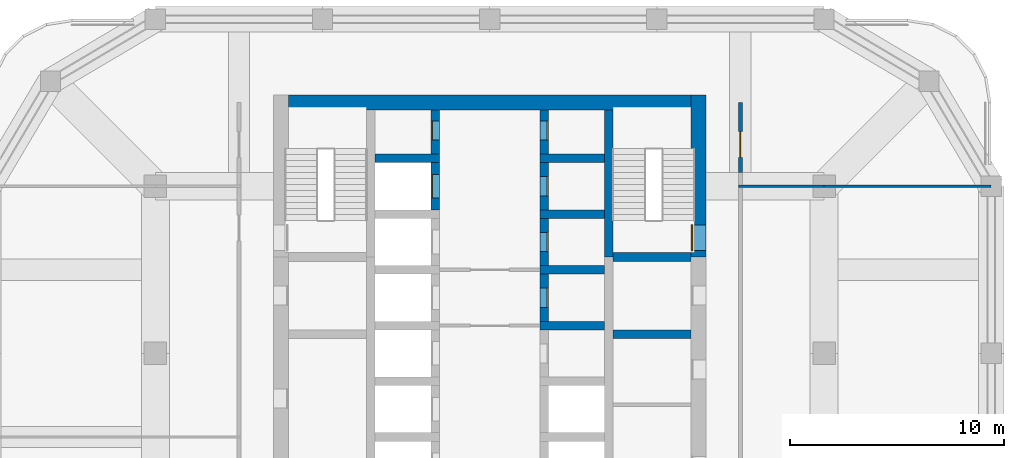
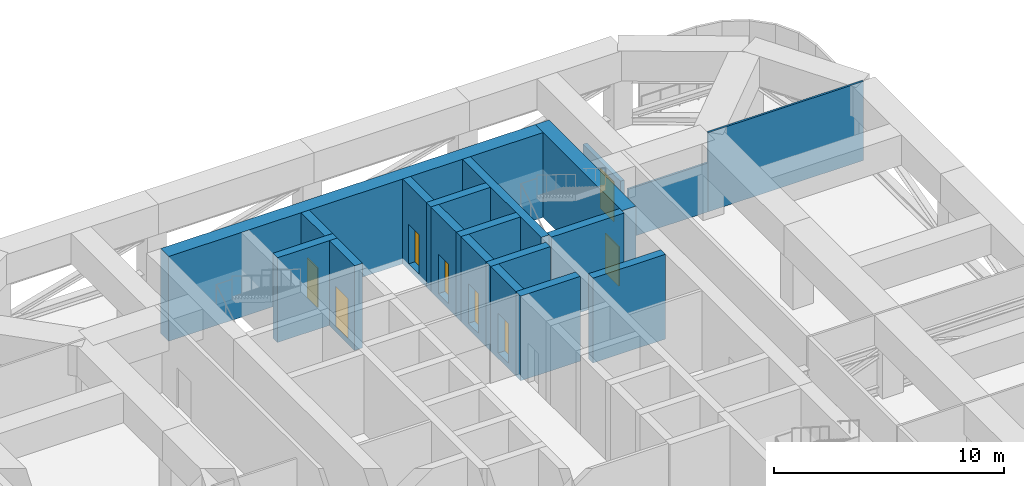
# One storey, part 5 of 9: 19 walls, 8 doors, 8 openings.
"""IFC4 building model written with IfcOpenShell, lengths in metres."""

from ifc_helpers import new_model, si_unit, direction, frame, frame_2d, origin, place, context, subcontext, project, spatial, rectangle, extrude, material, layer, layer_set, type_object, element, fill, save


model = new_model("IFC4")

# Units and contexts
model_context = context("Model", 3, precision=1e-05, world=origin(), true_north=direction((0.0, 1.0)))
body_context = subcontext(model_context, "Body", "Model", "MODEL_VIEW")
ifc_project = project(units=[si_unit("LENGTHUNIT", "METRE"), si_unit("AREAUNIT", "SQUARE_METRE"), si_unit("VOLUMEUNIT", "CUBIC_METRE"), si_unit("PLANEANGLEUNIT", "RADIAN"), si_unit("MASSUNIT", "GRAM", prefix="KILO")], contexts=[model_context])

# Site, building, storey
site_placement = place(None, origin())
site = spatial("IfcSite", under=ifc_project, at=site_placement, CompositionType="ELEMENT")
building_placement = place(site_placement, origin())
building = spatial("IfcBuilding", under=site, at=building_placement, Name="Ludao Terraces", CompositionType="ELEMENT")
storey_placement = place(building_placement, frame((0.0, 0.0, 95.39990234375)))
storey = spatial("IfcBuildingStorey", under=building, at=storey_placement, Name="L26", CompositionType="ELEMENT", Elevation=95.39990234375)

# Wall, opening, door
ifc_material_1 = material(Name="Concrete C70", Category="concrete")
ifc_layer_1 = layer(ifc_material_1, 0.699951171875)
ifc_layer_set_1 = layer_set([ifc_layer_1], Name="Core wall 700 C70")
wall_type_1 = type_object("IfcWallType", Name="Core wall 700 C70", PredefinedType="SOLIDWALL", material=ifc_layer_set_1)
wall_1_placement = place(storey_placement, frame((94.75, 77.300048828125, -0.2998046875), z_axis=(0.0, 0.0, 1.0), x_axis=(0.0, 1.0, 0.0)))
wall_1 = element("IfcWall", 1, at=wall_1_placement, inside=storey, type_object=wall_type_1, Name="Core wall L26 outer-E-S2", PredefinedType="SOLIDWALL", context=body_context, shape_type="SweptSolid", body=[
    extrude(rectangle(XDim=7.550048828125, YDim=0.699951171875, at=frame_2d((3.77490234375, 0.0))), origin(), (0.0, 0.0, 1.0), 4.5),
])
opening_1_placement = place(wall_1_placement, frame((0.300048828125, 0.0, 0.300048828125)))
opening_1 = element("IfcOpeningElement", 2, at=opening_1_placement, cuts=wall_1, Name="Opening L26-034", PredefinedType="OPENING", context=body_context, shape_type="SweptSolid", body=[
    extrude(rectangle(XDim=1.199951171875, YDim=2.10009765625, at=frame_2d((0.60009765625, 1.050048828125))), frame((0.0, 0.35986328125, 0.0), z_axis=(0.0, -1.0, 0.0), x_axis=(1.0, 0.0, 0.0)), (0.0, 0.0, 1.0), 0.719970703125),
])
ifc_material_2 = material(Name="Steel Q235", Category="steel")
door_type_1 = type_object("IfcDoorType", Name="INT Stair door 1200", OperationType="DOUBLE_DOOR_SINGLE_SWING", PredefinedType="DOOR", material=ifc_material_2)
door_1_placement = place(opening_1_placement, origin())
door_1 = element("IfcDoor", 3, at=door_1_placement, inside=storey, type_object=door_type_1, Name="DOOR 034", OperationType="DOUBLE_DOOR_SINGLE_SWING", OverallHeight=2.10009765625, OverallWidth=1.199951171875, PredefinedType="DOOR", context=body_context, shape_type="SweptSolid", body=[
    extrude(rectangle(XDim=1.199951171875, YDim=2.10009765625, at=frame_2d((0.60009765625, 1.050048828125))), frame((0.0, 0.3349609375, 0.0), z_axis=(0.0, -1.0, 0.0), x_axis=(1.0, 0.0, 0.0)), (0.0, 0.0, 1.0), 0.050048828125),
])
fill(opening_1, door_1)

# Wall
wall_2_placement = place(storey_placement, frame((75.60009765625, 84.5, -0.2998046875), z_axis=(0.0, 0.0, 1.0), x_axis=(1.0, 0.0, 0.0)))
element("IfcWall", 4, at=wall_2_placement, inside=storey, type_object=wall_type_1, Name="Core wall L26 outer-N", PredefinedType="SOLIDWALL", context=body_context, shape_type="SweptSolid", body=[
    extrude(rectangle(XDim=18.7998046875, YDim=0.699951171875, at=frame_2d((9.39990234375, 0.0))), origin(), (0.0, 0.0, 1.0), 4.5),
])

# Wall, opening, door
ifc_material_3 = material(Name="Autoclaved aerated concrete block B06 A3.5", Category="concrete")
ifc_layer_2 = layer(ifc_material_3, 0.199951171875)
ifc_layer_set_2 = layer_set([ifc_layer_2], Name="INT Entrance wall 200")
wall_type_2 = type_object("IfcWallType", Name="INT Entrance wall 200", PredefinedType="PARTITIONING", material=ifc_layer_set_2)
wall_3_placement = place(storey_placement, frame((96.699951171875, 81.25, 0.0), z_axis=(0.0, 0.0, 1.0), x_axis=(0.0, 1.0, 0.0)))
wall_3 = element("IfcWall", 5, at=wall_3_placement, inside=storey, type_object=wall_type_2, Name="PW-L26-PW017-2", PredefinedType="PARTITIONING", context=body_context, shape_type="SweptSolid", body=[
    extrude(rectangle(XDim=3.25, YDim=0.199951171875, at=frame_2d((1.625, 0.0))), origin(), (0.0, 0.0, 1.0), 2.60009765625),
])
opening_2_placement = place(wall_3_placement, frame((0.7001953125, 0.0, 0.0)))
opening_2 = element("IfcOpeningElement", 6, at=opening_2_placement, cuts=wall_3, Name="Opening L26-039", PredefinedType="OPENING", context=body_context, shape_type="SweptSolid", body=[
    extrude(rectangle(XDim=1.199951171875, YDim=2.10009765625, at=frame_2d((0.60009765625, 1.050048828125))), frame((0.0, 0.10986328125, 0.0), z_axis=(0.0, -1.0, 0.0), x_axis=(1.0, 0.0, 0.0)), (0.0, 0.0, 1.0), 0.219970703125),
])
ifc_material_4 = material(Name="Timber door leaf", Category="wood")
door_type_2 = type_object("IfcDoorType", Name="INT Double door 1200", OperationType="DOUBLE_DOOR_SINGLE_SWING", PredefinedType="DOOR", material=ifc_material_4)
door_2_placement = place(opening_2_placement, origin())
door_2 = element("IfcDoor", 7, at=door_2_placement, inside=storey, type_object=door_type_2, Name="DOOR 039", OperationType="DOUBLE_DOOR_SINGLE_SWING", OverallHeight=2.10009765625, OverallWidth=1.199951171875, PredefinedType="DOOR", context=body_context, shape_type="SweptSolid", body=[
    extrude(rectangle(XDim=1.199951171875, YDim=2.10009765625, at=frame_2d((0.60009765625, 1.050048828125))), frame((0.0, 0.02490234375, 0.0), z_axis=(0.0, -1.0, 0.0), x_axis=(1.0, 0.0, 0.0)), (0.0, 0.0, 1.0), 0.050048828125),
])
fill(opening_2, door_2)

# Walls
ifc_material_5 = material(Name="Gypsum plasterboard", Category="gypsum")
ifc_layer_3 = layer(ifc_material_5, 0.012451171875, Category="gypsum")
ifc_material_6 = material(Name="Mineral wool")
ifc_layer_4 = layer(ifc_material_6, 0.06005859375, Name="insulation")
ifc_layer_5 = layer(ifc_material_2, 0.014892578125, Name="stud")
ifc_layer_6 = layer(ifc_material_5, 0.012451171875, Category="gypsum")
ifc_layer_set_3 = layer_set([ifc_layer_3, ifc_layer_4, ifc_layer_5, ifc_layer_6], Name="INT Partition 100")
wall_type_3 = type_object("IfcWallType", Name="INT Partition 100", PredefinedType="PARTITIONING", material=ifc_layer_set_3)
wall_4_placement = place(storey_placement, frame((96.60009765625, 80.60009765625, 0.0), z_axis=(0.0, 0.0, 1.0), x_axis=(1.0, 0.0, 0.0)))
element("IfcWall", 8, at=wall_4_placement, inside=storey, type_object=wall_type_3, Name="PW-L26-PW012", PredefinedType="PARTITIONING", context=body_context, shape_type="SweptSolid", body=[
    extrude(rectangle(XDim=4.0, YDim=0.10009765625, at=frame_2d((2.0, 0.0))), origin(), (0.0, 0.0, 1.0), 2.60009765625),
])
wall_5_placement = place(storey_placement, frame((100.60009765625, 80.60009765625, 0.0), z_axis=(0.0, 0.0, 1.0), x_axis=(1.0, 0.0, 0.0)))
element("IfcWall", 9, at=wall_5_placement, inside=storey, type_object=wall_type_3, Name="PW-L26-PW012-2", PredefinedType="PARTITIONING", context=body_context, shape_type="SweptSolid", body=[
    extrude(rectangle(XDim=7.800048828125, YDim=0.10009765625, at=frame_2d((3.89990234375, 0.0))), origin(), (0.0, 0.0, 1.0), 4.2001953125),
])
ifc_material_7 = material(Name="Concrete C60", Category="concrete")
ifc_layer_7 = layer(ifc_material_7, 0.39990234375)
ifc_layer_set_4 = layer_set([ifc_layer_7], Name="Shaft wall 400 C60")
wall_type_4 = type_object("IfcWallType", Name="Shaft wall 400 C60", PredefinedType="SOLIDWALL", material=ifc_layer_set_4)
wall_6_placement = place(storey_placement, frame((90.550048828125, 77.300048828125, -0.2998046875), z_axis=(0.0, 0.0, 1.0), x_axis=(0.0, 1.0, 0.0)))
element("IfcWall", 10, at=wall_6_placement, inside=storey, type_object=wall_type_4, Name="Core wall L26 back-E-S2", PredefinedType="SOLIDWALL", context=body_context, shape_type="SweptSolid", body=[
    extrude(rectangle(XDim=6.849853515625, YDim=0.39990234375, at=frame_2d((3.4248046875, 0.0))), origin(), (0.0, 0.0, 1.0), 4.5),
])

# Wall, opening, door
wall_7_placement = place(storey_placement, frame((82.449951171875, 79.5, -0.2998046875), z_axis=(0.0, 0.0, 1.0), x_axis=(0.0, 1.0, 0.0)))
wall_7 = element("IfcWall", 11, at=wall_7_placement, inside=storey, type_object=wall_type_4, Name="Core wall L26 front-W8", PredefinedType="SOLIDWALL", context=body_context, shape_type="SweptSolid", body=[
    extrude(rectangle(XDim=2.199951171875, YDim=0.39990234375, at=frame_2d((1.10009765625, 0.0))), origin(), (0.0, 0.0, 1.0), 4.5),
])
opening_3_placement = place(wall_7_placement, frame((0.550048828125, 0.0, 0.300048828125)))
opening_3 = element("IfcOpeningElement", 12, at=opening_3_placement, cuts=wall_7, Name="Opening LD-FF2", PredefinedType="OPENING", context=body_context, shape_type="SweptSolid", body=[
    extrude(rectangle(XDim=1.10009765625, YDim=2.10009765625, at=frame_2d((0.550048828125, 1.050048828125))), frame((0.0, 0.2099609375, 0.0), z_axis=(0.0, -1.0, 0.0), x_axis=(1.0, 0.0, 0.0)), (0.0, 0.0, 1.0), 0.419921875),
])
ifc_material_8 = material(Name="Stainless steel 304", Category="steel")
door_type_3 = type_object("IfcDoorType", Name="INT Lift landing door 1100", OperationType="SLIDING_TO_LEFT", PredefinedType="DOOR", material=ifc_material_8)
door_3_placement = place(opening_3_placement, origin())
door_3 = element("IfcDoor", 13, at=door_3_placement, inside=storey, type_object=door_type_3, Name="LANDING DOOR FF2 L26", OperationType="SLIDING_TO_LEFT", OverallHeight=2.10009765625, OverallWidth=1.10009765625, PredefinedType="DOOR", context=body_context, shape_type="SweptSolid", body=[
    extrude(rectangle(XDim=1.10009765625, YDim=2.10009765625, at=frame_2d((0.550048828125, 1.050048828125))), frame((0.0, 0.18505859375, 0.0), z_axis=(0.0, -1.0, 0.0), x_axis=(1.0, 0.0, 0.0)), (0.0, 0.0, 1.0), 0.050048828125),
])
fill(opening_3, door_3)

# Wall
wall_8_placement = place(storey_placement, frame((79.64990234375, 81.89990234375, -0.2998046875), z_axis=(0.0, 0.0, 1.0), x_axis=(1.0, 0.0, 0.0)))
element("IfcWall", 14, at=wall_8_placement, inside=storey, type_object=wall_type_4, Name="Core wall L26 div-W9", PredefinedType="SOLIDWALL", context=body_context, shape_type="SweptSolid", body=[
    extrude(rectangle(XDim=3.0, YDim=0.39990234375, at=frame_2d((1.5, 0.0))), origin(), (0.0, 0.0, 1.0), 4.5),
])

# Wall, opening, door
wall_9_placement = place(storey_placement, frame((82.449951171875, 82.10009765625, -0.2998046875), z_axis=(0.0, 0.0, 1.0), x_axis=(0.0, 1.0, 0.0)))
wall_9 = element("IfcWall", 15, at=wall_9_placement, inside=storey, type_object=wall_type_4, Name="Core wall L26 front-W9", PredefinedType="SOLIDWALL", context=body_context, shape_type="SweptSolid", body=[
    extrude(rectangle(XDim=2.0498046875, YDim=0.39990234375, at=frame_2d((1.02490234375, 0.0))), origin(), (0.0, 0.0, 1.0), 4.5),
])
opening_4_placement = place(wall_9_placement, frame((0.64990234375, 0.0, 0.300048828125)))
opening_4 = element("IfcOpeningElement", 16, at=opening_4_placement, cuts=wall_9, Name="Opening L26-040", PredefinedType="OPENING", context=body_context, shape_type="SweptSolid", body=[
    extrude(rectangle(XDim=0.89990234375, YDim=2.10009765625, at=frame_2d((0.449951171875, 1.050048828125))), frame((0.0, 0.2099609375, 0.0), z_axis=(0.0, -1.0, 0.0), x_axis=(1.0, 0.0, 0.0)), (0.0, 0.0, 1.0), 0.419921875),
])
door_type_4 = type_object("IfcDoorType", Name="INT Room door 900", OperationType="SINGLE_SWING_LEFT", PredefinedType="DOOR", material=ifc_material_4)
door_4_placement = place(opening_4_placement, origin())
door_4 = element("IfcDoor", 17, at=door_4_placement, inside=storey, type_object=door_type_4, Name="DOOR 040", OperationType="SINGLE_SWING_RIGHT", OverallHeight=2.10009765625, OverallWidth=0.89990234375, PredefinedType="DOOR", context=body_context, shape_type="SweptSolid", body=[
    extrude(rectangle(XDim=0.89990234375, YDim=2.10009765625, at=frame_2d((0.449951171875, 1.050048828125))), frame((0.0, 0.18505859375, 0.0), z_axis=(0.0, -1.0, 0.0), x_axis=(1.0, 0.0, 0.0)), (0.0, 0.0, 1.0), 0.050048828125),
])
fill(opening_4, door_4)

# Wall
wall_10_placement = place(storey_placement, frame((87.35009765625, 74.10009765625, -0.2998046875), z_axis=(0.0, 0.0, 1.0), x_axis=(1.0, 0.0, 0.0)))
element("IfcWall", 18, at=wall_10_placement, inside=storey, type_object=wall_type_4, Name="Core wall L26 div-E6", PredefinedType="SOLIDWALL", context=body_context, shape_type="SweptSolid", body=[
    extrude(rectangle(XDim=3.0, YDim=0.39990234375, at=frame_2d((1.5, 0.0))), origin(), (0.0, 0.0, 1.0), 4.5),
])

# Wall, opening, door
wall_11_placement = place(storey_placement, frame((87.550048828125, 74.300048828125, -0.2998046875), z_axis=(0.0, 0.0, 1.0), x_axis=(0.0, 1.0, 0.0)))
wall_11 = element("IfcWall", 19, at=wall_11_placement, inside=storey, type_object=wall_type_4, Name="Core wall L26 front-E6", PredefinedType="SOLIDWALL", context=body_context, shape_type="SweptSolid", body=[
    extrude(rectangle(XDim=2.199951171875, YDim=0.39990234375, at=frame_2d((1.10009765625, 0.0))), origin(), (0.0, 0.0, 1.0), 4.5),
])
opening_5_placement = place(wall_11_placement, frame((0.64990234375, 0.0, 0.300048828125)))
opening_5 = element("IfcOpeningElement", 20, at=opening_5_placement, cuts=wall_11, Name="Opening L26-027", PredefinedType="OPENING", context=body_context, shape_type="SweptSolid", body=[
    extrude(rectangle(XDim=0.89990234375, YDim=2.10009765625, at=frame_2d((0.449951171875, 1.050048828125))), frame((0.0, 0.2099609375, 0.0), z_axis=(0.0, -1.0, 0.0), x_axis=(1.0, 0.0, 0.0)), (0.0, 0.0, 1.0), 0.419921875),
])
door_5_placement = place(opening_5_placement, origin())
door_5 = element("IfcDoor", 21, at=door_5_placement, inside=storey, type_object=door_type_4, Name="DOOR 027", OperationType="SINGLE_SWING_LEFT", OverallHeight=2.10009765625, OverallWidth=0.89990234375, PredefinedType="DOOR", context=body_context, shape_type="SweptSolid", body=[
    extrude(rectangle(XDim=0.89990234375, YDim=2.10009765625, at=frame_2d((0.449951171875, 1.050048828125))), frame((0.0, -0.134765625, 0.0), z_axis=(0.0, -1.0, 0.0), x_axis=(1.0, 0.0, 0.0)), (0.0, 0.0, 1.0), 0.050048828125),
])
fill(opening_5, door_5)

# Wall
wall_12_placement = place(storey_placement, frame((87.35009765625, 76.699951171875, -0.2998046875), z_axis=(0.0, 0.0, 1.0), x_axis=(1.0, 0.0, 0.0)))
element("IfcWall", 22, at=wall_12_placement, inside=storey, type_object=wall_type_4, Name="Core wall L26 div-E7", PredefinedType="SOLIDWALL", context=body_context, shape_type="SweptSolid", body=[
    extrude(rectangle(XDim=3.0, YDim=0.39990234375, at=frame_2d((1.5, 0.0))), origin(), (0.0, 0.0, 1.0), 4.5),
])

# Wall, opening, door
wall_13_placement = place(storey_placement, frame((87.550048828125, 76.89990234375, -0.2998046875), z_axis=(0.0, 0.0, 1.0), x_axis=(0.0, 1.0, 0.0)))
wall_13 = element("IfcWall", 23, at=wall_13_placement, inside=storey, type_object=wall_type_4, Name="Core wall L26 front-E7", PredefinedType="SOLIDWALL", context=body_context, shape_type="SweptSolid", body=[
    extrude(rectangle(XDim=2.2001953125, YDim=0.39990234375, at=frame_2d((1.10009765625, 0.0))), origin(), (0.0, 0.0, 1.0), 4.5),
])
opening_6_placement = place(wall_13_placement, frame((0.64990234375, 0.0, 0.300048828125)))
opening_6 = element("IfcOpeningElement", 24, at=opening_6_placement, cuts=wall_13, Name="Opening L26-032", PredefinedType="OPENING", context=body_context, shape_type="SweptSolid", body=[
    extrude(rectangle(XDim=0.89990234375, YDim=2.10009765625, at=frame_2d((0.449951171875, 1.050048828125))), frame((0.0, 0.2099609375, 0.0), z_axis=(0.0, -1.0, 0.0), x_axis=(1.0, 0.0, 0.0)), (0.0, 0.0, 1.0), 0.419921875),
])
door_6_placement = place(opening_6_placement, origin())
door_6 = element("IfcDoor", 25, at=door_6_placement, inside=storey, type_object=door_type_4, Name="DOOR 032", OperationType="SINGLE_SWING_RIGHT", OverallHeight=2.10009765625, OverallWidth=0.89990234375, PredefinedType="DOOR", context=body_context, shape_type="SweptSolid", body=[
    extrude(rectangle(XDim=0.89990234375, YDim=2.10009765625, at=frame_2d((0.449951171875, 1.050048828125))), frame((0.0, -0.134765625, 0.0), z_axis=(0.0, -1.0, 0.0), x_axis=(1.0, 0.0, 0.0)), (0.0, 0.0, 1.0), 0.050048828125),
])
fill(opening_6, door_6)

# Wall
wall_14_placement = place(storey_placement, frame((87.35009765625, 79.300048828125, -0.2998046875), z_axis=(0.0, 0.0, 1.0), x_axis=(1.0, 0.0, 0.0)))
element("IfcWall", 26, at=wall_14_placement, inside=storey, type_object=wall_type_4, Name="Core wall L26 div-E8", PredefinedType="SOLIDWALL", context=body_context, shape_type="SweptSolid", body=[
    extrude(rectangle(XDim=3.0, YDim=0.39990234375, at=frame_2d((1.5, 0.0))), origin(), (0.0, 0.0, 1.0), 4.5),
])

# Wall, opening, door
wall_15_placement = place(storey_placement, frame((87.550048828125, 79.5, -0.2998046875), z_axis=(0.0, 0.0, 1.0), x_axis=(0.0, 1.0, 0.0)))
wall_15 = element("IfcWall", 27, at=wall_15_placement, inside=storey, type_object=wall_type_4, Name="Core wall L26 front-E8", PredefinedType="SOLIDWALL", context=body_context, shape_type="SweptSolid", body=[
    extrude(rectangle(XDim=2.199951171875, YDim=0.39990234375, at=frame_2d((1.10009765625, 0.0))), origin(), (0.0, 0.0, 1.0), 4.5),
])
opening_7_placement = place(wall_15_placement, frame((0.64990234375, 0.0, 0.300048828125)))
opening_7 = element("IfcOpeningElement", 28, at=opening_7_placement, cuts=wall_15, Name="Opening L26-037", PredefinedType="OPENING", context=body_context, shape_type="SweptSolid", body=[
    extrude(rectangle(XDim=0.89990234375, YDim=2.10009765625, at=frame_2d((0.449951171875, 1.050048828125))), frame((0.0, 0.2099609375, 0.0), z_axis=(0.0, -1.0, 0.0), x_axis=(1.0, 0.0, 0.0)), (0.0, 0.0, 1.0), 0.419921875),
])
door_7_placement = place(opening_7_placement, origin())
door_7 = element("IfcDoor", 29, at=door_7_placement, inside=storey, type_object=door_type_4, Name="DOOR 037", OperationType="SINGLE_SWING_RIGHT", OverallHeight=2.10009765625, OverallWidth=0.89990234375, PredefinedType="DOOR", context=body_context, shape_type="SweptSolid", body=[
    extrude(rectangle(XDim=0.89990234375, YDim=2.10009765625, at=frame_2d((0.449951171875, 1.050048828125))), frame((0.0, -0.134765625, 0.0), z_axis=(0.0, -1.0, 0.0), x_axis=(1.0, 0.0, 0.0)), (0.0, 0.0, 1.0), 0.050048828125),
])
fill(opening_7, door_7)

# Wall
wall_16_placement = place(storey_placement, frame((87.35009765625, 81.89990234375, -0.2998046875), z_axis=(0.0, 0.0, 1.0), x_axis=(1.0, 0.0, 0.0)))
element("IfcWall", 30, at=wall_16_placement, inside=storey, type_object=wall_type_4, Name="Core wall L26 div-E9", PredefinedType="SOLIDWALL", context=body_context, shape_type="SweptSolid", body=[
    extrude(rectangle(XDim=3.0, YDim=0.39990234375, at=frame_2d((1.5, 0.0))), origin(), (0.0, 0.0, 1.0), 4.5),
])

# Wall, opening, door
wall_17_placement = place(storey_placement, frame((87.550048828125, 82.10009765625, -0.2998046875), z_axis=(0.0, 0.0, 1.0), x_axis=(0.0, 1.0, 0.0)))
wall_17 = element("IfcWall", 31, at=wall_17_placement, inside=storey, type_object=wall_type_4, Name="Core wall L26 front-E9", PredefinedType="SOLIDWALL", context=body_context, shape_type="SweptSolid", body=[
    extrude(rectangle(XDim=2.0498046875, YDim=0.39990234375, at=frame_2d((1.02490234375, 0.0))), origin(), (0.0, 0.0, 1.0), 4.5),
])
opening_8_placement = place(wall_17_placement, frame((0.64990234375, 0.0, 0.300048828125)))
opening_8 = element("IfcOpeningElement", 32, at=opening_8_placement, cuts=wall_17, Name="Opening L26-041", PredefinedType="OPENING", context=body_context, shape_type="SweptSolid", body=[
    extrude(rectangle(XDim=0.89990234375, YDim=2.10009765625, at=frame_2d((0.449951171875, 1.050048828125))), frame((0.0, 0.2099609375, 0.0), z_axis=(0.0, -1.0, 0.0), x_axis=(1.0, 0.0, 0.0)), (0.0, 0.0, 1.0), 0.419921875),
])
door_8_placement = place(opening_8_placement, origin())
door_8 = element("IfcDoor", 33, at=door_8_placement, inside=storey, type_object=door_type_4, Name="DOOR 041", OperationType="SINGLE_SWING_LEFT", OverallHeight=2.10009765625, OverallWidth=0.89990234375, PredefinedType="DOOR", context=body_context, shape_type="SweptSolid", body=[
    extrude(rectangle(XDim=0.89990234375, YDim=2.10009765625, at=frame_2d((0.449951171875, 1.050048828125))), frame((0.0, -0.134765625, 0.0), z_axis=(0.0, -1.0, 0.0), x_axis=(1.0, 0.0, 0.0)), (0.0, 0.0, 1.0), 0.050048828125),
])
fill(opening_8, door_8)

# Walls
for number, where, z_axis, x_axis, name in (
    (34, (90.75, 73.699951171875, -0.2998046875), (0.0, 0.0, 1.0), (1.0, 0.0, 0.0), "Core wall L26 riser-b-E"),
    (35, (90.75, 77.300048828125, -0.2998046875), (0.0, 0.0, 1.0), (1.0, 0.0, 0.0), "Core wall L26 stair-E"),
):
    element("IfcWall", number, at=place(storey_placement, frame(where, z_axis=z_axis, x_axis=x_axis)), inside=storey, type_object=wall_type_4, Name=name, PredefinedType="SOLIDWALL", context=body_context, shape_type="SweptSolid", body=[
        extrude(rectangle(XDim=3.64990234375, YDim=0.39990234375, at=frame_2d((1.824951171875, 0.0))), origin(), (0.0, 0.0, 1.0), 4.5),
    ])

save(model, "model.ifc")
